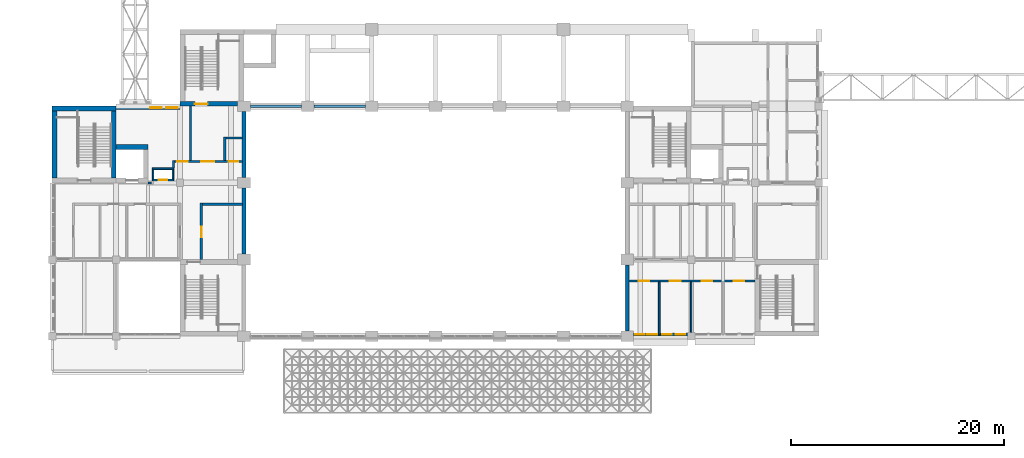
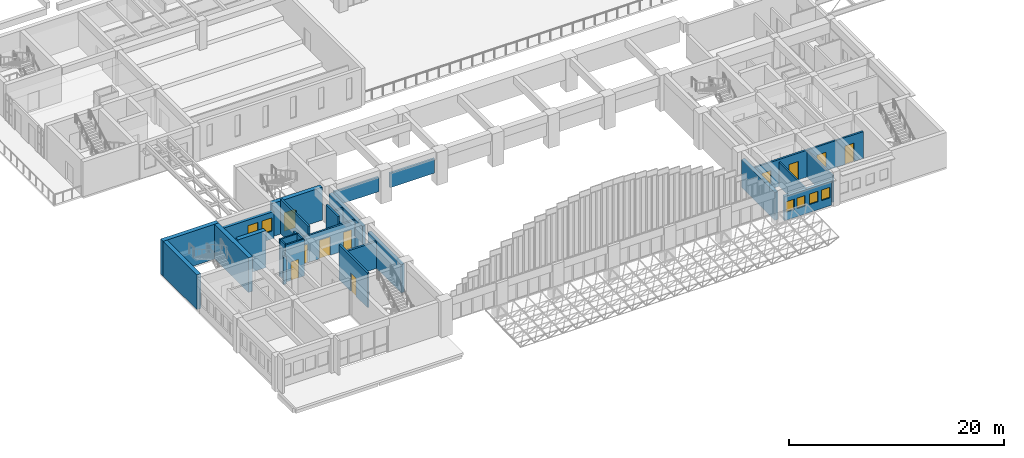
# One storey, part 63 of 103: 27 walls, 10 doors, 6 windows, 16 openings.
"""IFC4 building model written with IfcOpenShell, lengths in metres."""

from ifc_helpers import new_model, si_unit, direction, frame, frame_2d, origin, place, context, subcontext, project, spatial, rectangle, extrude, material, layer, layer_set, type_object, element, fill, save


model = new_model("IFC4")

# Units and contexts
model_context = context("Model", 3, precision=1e-05, world=origin(), true_north=direction((0.0, 1.0)))
body_context = subcontext(model_context, "Body", "Model", "MODEL_VIEW")
ifc_project = project(units=[si_unit("LENGTHUNIT", "METRE"), si_unit("AREAUNIT", "SQUARE_METRE"), si_unit("VOLUMEUNIT", "CUBIC_METRE"), si_unit("PLANEANGLEUNIT", "RADIAN"), si_unit("MASSUNIT", "GRAM", prefix="KILO")], contexts=[model_context])

# Site, building, storey
site_placement = place(None, origin())
site = spatial("IfcSite", under=ifc_project, at=site_placement, CompositionType="ELEMENT")
building_placement = place(site_placement, origin())
building = spatial("IfcBuilding", under=site, at=building_placement, Name="Laocheng Heights Fire and Rescue Headquarters", CompositionType="ELEMENT")
storey_placement = place(building_placement, frame((0.0, 0.0, 4.199951171875)))
storey = spatial("IfcBuildingStorey", under=building, at=storey_placement, Name="L01", CompositionType="ELEMENT", Elevation=4.199951171875)

# Walls
ifc_material_1 = material(Name="Gypsum plaster")
ifc_layer_1 = layer(ifc_material_1, 0.010009765625, Name="PLASTER", Category="plaster")
ifc_material_2 = material(Name="Concrete blockwork MU10", Category="masonry")
ifc_layer_2 = layer(ifc_material_2, 0.179931640625, Name="BLOCKWORK", Category="masonry")
ifc_layer_3 = layer(ifc_material_1, 0.010009765625, Name="PLASTER", Category="plaster")
ifc_layer_set_1 = layer_set([ifc_layer_1, ifc_layer_2, ifc_layer_3], Name="Concrete blockwork MU10")
wall_type_1 = type_object("IfcWallType", Name="BLOCKWORK FIRE PARTITION 200 EI 60 BAY", PredefinedType="PARTITIONING", material=ifc_layer_set_1)
wall_1_placement = place(storey_placement, frame((11.39990234375, 15.800048828125, 0.0), z_axis=(0.0, 0.0, 1.0), x_axis=(0.0, 1.0, 0.0)))
element("IfcWall", 1, at=wall_1_placement, inside=storey, type_object=wall_type_1, Name="Partition L01-007", PredefinedType="PARTITIONING", context=body_context, shape_type="SweptSolid", body=[
    extrude(rectangle(XDim=0.699951171875, YDim=0.199951171875, at=frame_2d((0.35009765625, 0.0))), origin(), (0.0, 0.0, 1.0), 3.949951171875),
])
wall_2_placement = place(storey_placement, frame((13.0, 16.5, 0.0), z_axis=(0.0, 0.0, 1.0), x_axis=(0.0, 1.0, 0.0)))
element("IfcWall", 2, at=wall_2_placement, inside=storey, type_object=wall_type_1, Name="Partition L01-009", PredefinedType="PARTITIONING", context=body_context, shape_type="SweptSolid", body=[
    extrude(rectangle(XDim=5.10009765625, YDim=0.199951171875, at=frame_2d((2.550048828125, 0.0))), origin(), (0.0, 0.0, 1.0), 3.949951171875),
])

# Wall, opening, door
wall_3_placement = place(storey_placement, frame((14.0, 7.199951171875, 0.0), z_axis=(0.0, 0.0, 1.0), x_axis=(0.0, 1.0, 0.0)))
wall_3 = element("IfcWall", 3, at=wall_3_placement, inside=storey, type_object=wall_type_1, Name="Partition L01-010", PredefinedType="PARTITIONING", context=body_context, shape_type="SweptSolid", body=[
    extrude(rectangle(XDim=5.300048828125, YDim=0.199951171875, at=frame_2d((2.64990234375, 0.0))), origin(), (0.0, 0.0, 1.0), 3.949951171875),
])
opening_1_placement = place(wall_3_placement, frame((2.10009765625, 0.0, 0.0)))
opening_1 = element("IfcOpeningElement", 4, at=opening_1_placement, cuts=wall_3, Name="Opening L01-I02", PredefinedType="OPENING", context=body_context, shape_type="SweptSolid", body=[
    extrude(rectangle(XDim=1.0, YDim=2.10009765625, at=frame_2d((0.5, 1.050048828125))), frame((0.0, 0.10986328125, 0.0), z_axis=(0.0, -1.0, 0.0), x_axis=(1.0, 0.0, 0.0)), (0.0, 0.0, 1.0), 0.219970703125),
])
ifc_material_3 = material(Name="Steel door leaf, painted", Category="steel")
door_type_1 = type_object("IfcDoorType", Name="STEEL FIRE DOOR 1000x2100 EI 60 BAY", OperationType="SINGLE_SWING_LEFT", PredefinedType="DOOR", material=ifc_material_3)
door_1_placement = place(opening_1_placement, frame((1.0, 0.0, 0.0), z_axis=(0.0, 0.0, 1.0), x_axis=(-1.0, 0.0, 0.0)))
door_1 = element("IfcDoor", 5, at=door_1_placement, inside=storey, type_object=door_type_1, Name="Door L01-I02", OperationType="SINGLE_SWING_LEFT", OverallHeight=2.10009765625, OverallWidth=1.0, PredefinedType="DOOR", context=body_context, shape_type="SweptSolid", body=[
    extrude(rectangle(XDim=1.0, YDim=2.10009765625, at=frame_2d((0.5, 1.050048828125))), frame((0.0, 0.02490234375, 0.0), z_axis=(0.0, -1.0, 0.0), x_axis=(1.0, 0.0, 0.0)), (0.0, 0.0, 1.0), 0.050048828125),
])
fill(opening_1, door_1)

# Wall
wall_4_placement = place(storey_placement, frame((16.199951171875, 16.5, 0.0), z_axis=(0.0, 0.0, 1.0), x_axis=(0.0, 1.0, 0.0)))
element("IfcWall", 6, at=wall_4_placement, inside=storey, type_object=wall_type_1, Name="Partition L01-011", PredefinedType="PARTITIONING", context=body_context, shape_type="SweptSolid", body=[
    extrude(rectangle(XDim=2.199951171875, YDim=0.199951171875, at=frame_2d((1.10009765625, 0.0))), origin(), (0.0, 0.0, 1.0), 3.949951171875),
])

# Wall, openings, doors
wall_5_placement = place(storey_placement, frame((54.14990234375, 5.199951171875, 0.0), z_axis=(0.0, 0.0, 1.0), x_axis=(1.0, 0.0, 0.0)))
wall_5 = element("IfcWall", 7, at=wall_5_placement, inside=storey, type_object=wall_type_1, Name="Partition L01-027", PredefinedType="PARTITIONING", context=body_context, shape_type="SweptSolid", body=[
    extrude(rectangle(XDim=11.85009765625, YDim=0.199951171875, at=frame_2d((5.925048828125, 0.0))), origin(), (0.0, 0.0, 1.0), 3.050048828125),
])
opening_2_placement = place(wall_5_placement, frame((0.925048828125, 0.0, 0.0)))
opening_2 = element("IfcOpeningElement", 8, at=opening_2_placement, cuts=wall_5, Name="Opening L01-I15", PredefinedType="OPENING", context=body_context, shape_type="SweptSolid", body=[
    extrude(rectangle(XDim=1.0, YDim=2.10009765625, at=frame_2d((0.5, 1.050048828125))), frame((0.0, 0.10986328125, 0.0), z_axis=(0.0, -1.0, 0.0), x_axis=(1.0, 0.0, 0.0)), (0.0, 0.0, 1.0), 0.219970703125),
])
opening_3_placement = place(wall_5_placement, frame((3.85009765625, 0.0, 0.0)))
opening_3 = element("IfcOpeningElement", 9, at=opening_3_placement, cuts=wall_5, Name="Opening L01-I18", PredefinedType="OPENING", context=body_context, shape_type="SweptSolid", body=[
    extrude(rectangle(XDim=1.0, YDim=2.10009765625, at=frame_2d((0.5, 1.050048828125))), frame((0.0, 0.10986328125, 0.0), z_axis=(0.0, -1.0, 0.0), x_axis=(1.0, 0.0, 0.0)), (0.0, 0.0, 1.0), 0.219970703125),
])
opening_4_placement = place(wall_5_placement, frame((6.85009765625, 0.0, 0.0)))
opening_4 = element("IfcOpeningElement", 10, at=opening_4_placement, cuts=wall_5, Name="Opening L01-I21", PredefinedType="OPENING", context=body_context, shape_type="SweptSolid", body=[
    extrude(rectangle(XDim=1.0, YDim=2.10009765625, at=frame_2d((0.5, 1.050048828125))), frame((0.0, 0.10986328125, 0.0), z_axis=(0.0, -1.0, 0.0), x_axis=(1.0, 0.0, 0.0)), (0.0, 0.0, 1.0), 0.219970703125),
])
opening_5_placement = place(wall_5_placement, frame((9.85009765625, 0.0, 0.0)))
opening_5 = element("IfcOpeningElement", 11, at=opening_5_placement, cuts=wall_5, Name="Opening L01-I24", PredefinedType="OPENING", context=body_context, shape_type="SweptSolid", body=[
    extrude(rectangle(XDim=1.0, YDim=2.10009765625, at=frame_2d((0.5, 1.050048828125))), frame((0.0, 0.10986328125, 0.0), z_axis=(0.0, -1.0, 0.0), x_axis=(1.0, 0.0, 0.0)), (0.0, 0.0, 1.0), 0.219970703125),
])
door_2_placement = place(opening_2_placement, frame((1.0, 0.0, 0.0), z_axis=(0.0, 0.0, 1.0), x_axis=(-1.0, 0.0, 0.0)))
door_2 = element("IfcDoor", 12, at=door_2_placement, inside=storey, type_object=door_type_1, Name="Door L01-I15", OperationType="SINGLE_SWING_LEFT", OverallHeight=2.10009765625, OverallWidth=1.0, PredefinedType="DOOR", context=body_context, shape_type="SweptSolid", body=[
    extrude(rectangle(XDim=1.0, YDim=2.10009765625, at=frame_2d((0.5, 1.050048828125))), frame((0.0, 0.02490234375, 0.0), z_axis=(0.0, -1.0, 0.0), x_axis=(1.0, 0.0, 0.0)), (0.0, 0.0, 1.0), 0.050048828125),
])
fill(opening_2, door_2)
door_3_placement = place(opening_3_placement, frame((1.0, 0.0, 0.0), z_axis=(0.0, 0.0, 1.0), x_axis=(-1.0, 0.0, 0.0)))
door_3 = element("IfcDoor", 13, at=door_3_placement, inside=storey, type_object=door_type_1, Name="Door L01-I18", OperationType="SINGLE_SWING_RIGHT", OverallHeight=2.10009765625, OverallWidth=1.0, PredefinedType="DOOR", context=body_context, shape_type="SweptSolid", body=[
    extrude(rectangle(XDim=1.0, YDim=2.10009765625, at=frame_2d((0.5, 1.050048828125))), frame((0.0, 0.02490234375, 0.0), z_axis=(0.0, -1.0, 0.0), x_axis=(1.0, 0.0, 0.0)), (0.0, 0.0, 1.0), 0.050048828125),
])
fill(opening_3, door_3)
door_4_placement = place(opening_4_placement, frame((1.0, 0.0, 0.0), z_axis=(0.0, 0.0, 1.0), x_axis=(-1.0, 0.0, 0.0)))
door_4 = element("IfcDoor", 14, at=door_4_placement, inside=storey, type_object=door_type_1, Name="Door L01-I21", OperationType="SINGLE_SWING_RIGHT", OverallHeight=2.10009765625, OverallWidth=1.0, PredefinedType="DOOR", context=body_context, shape_type="SweptSolid", body=[
    extrude(rectangle(XDim=1.0, YDim=2.10009765625, at=frame_2d((0.5, 1.050048828125))), frame((0.0, 0.02490234375, 0.0), z_axis=(0.0, -1.0, 0.0), x_axis=(1.0, 0.0, 0.0)), (0.0, 0.0, 1.0), 0.050048828125),
])
fill(opening_4, door_4)
door_5_placement = place(opening_5_placement, frame((1.0, 0.0, 0.0), z_axis=(0.0, 0.0, 1.0), x_axis=(-1.0, 0.0, 0.0)))
door_5 = element("IfcDoor", 15, at=door_5_placement, inside=storey, type_object=door_type_1, Name="Door L01-I24", OperationType="SINGLE_SWING_RIGHT", OverallHeight=2.10009765625, OverallWidth=1.0, PredefinedType="DOOR", context=body_context, shape_type="SweptSolid", body=[
    extrude(rectangle(XDim=1.0, YDim=2.10009765625, at=frame_2d((0.5, 1.050048828125))), frame((0.0, 0.02490234375, 0.0), z_axis=(0.0, -1.0, 0.0), x_axis=(1.0, 0.0, 0.0)), (0.0, 0.0, 1.0), 0.050048828125),
])
fill(opening_5, door_5)

# Walls
wall_6_placement = place(storey_placement, frame((14.10009765625, 12.39990234375, 0.0), z_axis=(0.0, 0.0, 1.0), x_axis=(1.0, 0.0, 0.0)))
element("IfcWall", 16, at=wall_6_placement, inside=storey, type_object=wall_type_1, Name="Partition L01-033", PredefinedType="PARTITIONING", context=body_context, shape_type="SweptSolid", body=[
    extrude(rectangle(XDim=3.75, YDim=0.199951171875, at=frame_2d((1.875, 0.0))), origin(), (0.0, 0.0, 1.0), 3.050048828125),
])
wall_7_placement = place(storey_placement, frame((9.0, 14.39990234375, 0.0), z_axis=(0.0, 0.0, 1.0), x_axis=(1.0, 0.0, 0.0)))
element("IfcWall", 17, at=wall_7_placement, inside=storey, type_object=wall_type_1, Name="Partition L01-036", PredefinedType="PARTITIONING", context=body_context, shape_type="SweptSolid", body=[
    extrude(rectangle(XDim=0.300048828125, YDim=0.199951171875, at=frame_2d((0.14990234375, 0.0))), origin(), (0.0, 0.0, 1.0), 3.150146484375),
])

# Wall, openings, doors
wall_8_placement = place(storey_placement, frame((11.5, 16.39990234375, 0.0), z_axis=(0.0, 0.0, 1.0), x_axis=(1.0, 0.0, 0.0)))
wall_8 = element("IfcWall", 18, at=wall_8_placement, inside=storey, type_object=wall_type_1, Name="Partition L01-039", PredefinedType="PARTITIONING", context=body_context, shape_type="SweptSolid", body=[
    extrude(rectangle(XDim=6.35009765625, YDim=0.199951171875, at=frame_2d((3.175048828125, 0.0))), origin(), (0.0, 0.0, 1.0), 3.050048828125),
])
opening_6_placement = place(wall_8_placement, frame((2.5, 0.0, 0.0)))
opening_6 = element("IfcOpeningElement", 19, at=opening_6_placement, cuts=wall_8, Name="Opening L01-I03", PredefinedType="OPENING", context=body_context, shape_type="SweptSolid", body=[
    extrude(rectangle(XDim=1.199951171875, YDim=2.10009765625, at=frame_2d((0.60009765625, 1.050048828125))), frame((0.0, 0.10986328125, 0.0), z_axis=(0.0, -1.0, 0.0), x_axis=(1.0, 0.0, 0.0)), (0.0, 0.0, 1.0), 0.219970703125),
])
opening_7_placement = place(wall_8_placement, frame((0.25, 0.0, 0.0)))
opening_7 = element("IfcOpeningElement", 20, at=opening_7_placement, cuts=wall_8, Name="Opening L01-I04", PredefinedType="OPENING", context=body_context, shape_type="SweptSolid", body=[
    extrude(rectangle(XDim=1.0, YDim=2.10009765625, at=frame_2d((0.5, 1.050048828125))), frame((0.0, 0.10986328125, 0.0), z_axis=(0.0, -1.0, 0.0), x_axis=(1.0, 0.0, 0.0)), (0.0, 0.0, 1.0), 0.219970703125),
])
opening_8_placement = place(wall_8_placement, frame((5.074951171875, 0.0, 0.0)))
opening_8 = element("IfcOpeningElement", 21, at=opening_8_placement, cuts=wall_8, Name="Opening L01-I05", PredefinedType="OPENING", context=body_context, shape_type="SweptSolid", body=[
    extrude(rectangle(XDim=0.89990234375, YDim=2.10009765625, at=frame_2d((0.449951171875, 1.050048828125))), frame((0.0, 0.10986328125, 0.0), z_axis=(0.0, -1.0, 0.0), x_axis=(1.0, 0.0, 0.0)), (0.0, 0.0, 1.0), 0.219970703125),
])
door_6_placement = place(opening_7_placement, origin())
door_6 = element("IfcDoor", 22, at=door_6_placement, inside=storey, type_object=door_type_1, Name="Door L01-I04", OperationType="SINGLE_SWING_RIGHT", OverallHeight=2.10009765625, OverallWidth=1.0, PredefinedType="DOOR", context=body_context, shape_type="SweptSolid", body=[
    extrude(rectangle(XDim=1.0, YDim=2.10009765625, at=frame_2d((0.5, 1.050048828125))), frame((0.0, 0.02490234375, 0.0), z_axis=(0.0, -1.0, 0.0), x_axis=(1.0, 0.0, 0.0)), (0.0, 0.0, 1.0), 0.050048828125),
])
fill(opening_7, door_6)
ifc_material_4 = material(Name="Steel door leaf, painted", Category="steel")
door_type_2 = type_object("IfcDoorType", Name="STEEL FIRE DOOR 1200x2100 EI 60 BAY", OperationType="SINGLE_SWING_LEFT", PredefinedType="DOOR", material=ifc_material_4)
door_7_placement = place(opening_6_placement, origin())
door_7 = element("IfcDoor", 23, at=door_7_placement, inside=storey, type_object=door_type_2, Name="Door L01-I03", OperationType="SINGLE_SWING_RIGHT", OverallHeight=2.10009765625, OverallWidth=1.199951171875, PredefinedType="DOOR", context=body_context, shape_type="SweptSolid", body=[
    extrude(rectangle(XDim=1.199951171875, YDim=2.10009765625, at=frame_2d((0.60009765625, 1.050048828125))), frame((0.0, 0.02490234375, 0.0), z_axis=(0.0, -1.0, 0.0), x_axis=(1.0, 0.0, 0.0)), (0.0, 0.0, 1.0), 0.050048828125),
])
fill(opening_6, door_7)
ifc_material_5 = material(Name="Steel door leaf, painted", Category="steel")
door_type_3 = type_object("IfcDoorType", Name="STEEL FIRE DOOR 900x2100 EI 60 BAY", OperationType="SINGLE_SWING_LEFT", PredefinedType="DOOR", material=ifc_material_5)
door_8_placement = place(opening_8_placement, origin())
door_8 = element("IfcDoor", 24, at=door_8_placement, inside=storey, type_object=door_type_3, Name="Door L01-I05", OperationType="SINGLE_SWING_LEFT", OverallHeight=2.10009765625, OverallWidth=0.89990234375, PredefinedType="DOOR", context=body_context, shape_type="SweptSolid", body=[
    extrude(rectangle(XDim=0.89990234375, YDim=2.10009765625, at=frame_2d((0.449951171875, 1.050048828125))), frame((0.0, 0.02490234375, 0.0), z_axis=(0.0, -1.0, 0.0), x_axis=(1.0, 0.0, 0.0)), (0.0, 0.0, 1.0), 0.050048828125),
])
fill(opening_8, door_8)

# Walls
wall_9_placement = place(storey_placement, frame((16.300048828125, 18.60009765625, 0.0), z_axis=(0.0, 0.0, 1.0), x_axis=(1.0, 0.0, 0.0)))
element("IfcWall", 25, at=wall_9_placement, inside=storey, type_object=wall_type_1, Name="Partition L01-041", PredefinedType="PARTITIONING", context=body_context, shape_type="SweptSolid", body=[
    extrude(rectangle(XDim=1.550048828125, YDim=0.199951171875, at=frame_2d((0.77490234375, 0.0))), origin(), (0.0, 0.0, 1.0), 3.050048828125),
])
ifc_material_6 = material(Name="Gypsum plaster")
ifc_layer_4 = layer(ifc_material_6, 0.010009765625, Name="PLASTER", Category="plaster")
ifc_material_7 = material(Name="Concrete blockwork MU10", Category="masonry")
ifc_layer_5 = layer(ifc_material_7, 0.1298828125, Name="BLOCKWORK", Category="masonry")
ifc_layer_6 = layer(ifc_material_6, 0.010009765625, Name="PLASTER", Category="plaster")
ifc_layer_set_2 = layer_set([ifc_layer_4, ifc_layer_5, ifc_layer_6], Name="Concrete blockwork MU10")
wall_type_2 = type_object("IfcWallType", Name="BLOCKWORK PARTITION 150 EI 45 BAY", PredefinedType="PARTITIONING", material=ifc_layer_set_2)
wall_10_placement = place(storey_placement, frame((57.0, 0.14990234375, 0.0), z_axis=(0.0, 0.0, 1.0), x_axis=(0.0, 1.0, 0.0)))
element("IfcWall", 26, at=wall_10_placement, inside=storey, type_object=wall_type_2, Name="Partition L01-013", PredefinedType="PARTITIONING", context=body_context, shape_type="SweptSolid", body=[
    extrude(rectangle(XDim=4.9501953125, YDim=0.14990234375, at=frame_2d((2.47509765625, 0.0))), origin(), (0.0, 0.0, 1.0), 2.75),
])
wall_11_placement = place(storey_placement, frame((60.0, 0.35009765625, 0.0), z_axis=(0.0, 0.0, 1.0), x_axis=(0.0, 1.0, 0.0)))
element("IfcWall", 27, at=wall_11_placement, inside=storey, type_object=wall_type_2, Name="Partition L01-015", PredefinedType="PARTITIONING", context=body_context, shape_type="SweptSolid", body=[
    extrude(rectangle(XDim=4.75, YDim=0.14990234375, at=frame_2d((2.375, 0.0))), origin(), (0.0, 0.0, 1.0), 3.050048828125),
])
ifc_material_8 = material(Name="Precast concrete C40/50", Category="concrete")
ifc_layer_7 = layer(ifc_material_8, 0.199951171875)
ifc_layer_set_3 = layer_set([ifc_layer_7], Name="Precast concrete C40/50")
wall_type_3 = type_object("IfcWallType", Name="PRECAST GABLE PANEL 200", PredefinedType="SOLIDWALL", material=ifc_layer_set_3)
for number, where, z_axis, x_axis, name in (
    (28, (18.60009765625, 21.60009765625, 1.199951171875), (0.0, 0.0, 1.0), (1.0, 0.0, 0.0), "Gable precast panel N1"),
    (29, (24.60009765625, 21.60009765625, 1.199951171875), (0.0, 0.0, 1.0), (1.0, 0.0, 0.0), "Gable precast panel N2"),
):
    element("IfcWall", number, at=place(storey_placement, frame(where, z_axis=z_axis, x_axis=x_axis)), inside=storey, type_object=wall_type_3, Name=name, PredefinedType="SOLIDWALL", context=body_context, shape_type="SweptSolid", body=[
        extrude(rectangle(XDim=4.7998046875, YDim=0.199951171875, at=frame_2d((2.39990234375, 0.0))), origin(), (0.0, 0.0, 1.0), 1.650146484375),
    ])

# Wall, openings, windows
ifc_material_9 = material(Name="Precast concrete C40/50", Category="concrete")
ifc_layer_8 = layer(ifc_material_9, 0.300048828125)
ifc_layer_set_4 = layer_set([ifc_layer_8], Name="Precast concrete C40/50")
wall_type_4 = type_object("IfcWallType", Name="PRECAST PANEL WALL 300 EAST FLANK", PredefinedType="SOLIDWALL", material=ifc_layer_set_4)
wall_12_placement = place(storey_placement, frame((54.60009765625, 0.14990234375, 0.0), z_axis=(0.0, 0.0, 1.0), x_axis=(1.0, 0.0, 0.0)))
wall_12 = element("IfcWall", 30, at=wall_12_placement, inside=storey, type_object=wall_type_4, Name="Flank E wall L01", PredefinedType="SOLIDWALL", context=body_context, shape_type="SweptSolid", body=[
    extrude(rectangle(XDim=5.0498046875, YDim=0.300048828125, at=frame_2d((2.52490234375, 0.0))), origin(), (0.0, 0.0, 1.0), 2.75),
])
opening_9_placement = place(wall_12_placement, frame((0.131103515625, 0.0, 0.89990234375)))
opening_9 = element("IfcOpeningElement", 31, at=opening_9_placement, cuts=wall_12, Name="Opening N2-E", PredefinedType="OPENING", context=body_context, shape_type="SweptSolid", body=[
    extrude(rectangle(XDim=0.89990234375, YDim=1.199951171875, at=frame_2d((0.449951171875, 0.60009765625))), frame((0.0, 0.159912109375, 0.0), z_axis=(0.0, -1.0, 0.0), x_axis=(1.0, 0.0, 0.0)), (0.0, 0.0, 1.0), 0.320068359375),
])
opening_10_placement = place(wall_12_placement, frame((1.293701171875, 0.0, 0.89990234375)))
opening_10 = element("IfcOpeningElement", 32, at=opening_10_placement, cuts=wall_12, Name="Opening N2-E", PredefinedType="OPENING", context=body_context, shape_type="SweptSolid", body=[
    extrude(rectangle(XDim=0.89990234375, YDim=1.199951171875, at=frame_2d((0.449951171875, 0.60009765625))), frame((0.0, 0.159912109375, 0.0), z_axis=(0.0, -1.0, 0.0), x_axis=(1.0, 0.0, 0.0)), (0.0, 0.0, 1.0), 0.320068359375),
])
opening_11_placement = place(wall_12_placement, frame((2.668701171875, 0.0, 0.89990234375)))
opening_11 = element("IfcOpeningElement", 33, at=opening_11_placement, cuts=wall_12, Name="Opening N2-E", PredefinedType="OPENING", context=body_context, shape_type="SweptSolid", body=[
    extrude(rectangle(XDim=0.89990234375, YDim=1.199951171875, at=frame_2d((0.449951171875, 0.60009765625))), frame((0.0, 0.159912109375, 0.0), z_axis=(0.0, -1.0, 0.0), x_axis=(1.0, 0.0, 0.0)), (0.0, 0.0, 1.0), 0.320068359375),
])
opening_12_placement = place(wall_12_placement, frame((3.956298828125, 0.0, 0.89990234375)))
opening_12 = element("IfcOpeningElement", 34, at=opening_12_placement, cuts=wall_12, Name="Opening N2-E", PredefinedType="OPENING", context=body_context, shape_type="SweptSolid", body=[
    extrude(rectangle(XDim=0.89990234375, YDim=1.199951171875, at=frame_2d((0.449951171875, 0.60009765625))), frame((0.0, 0.159912109375, 0.0), z_axis=(0.0, -1.0, 0.0), x_axis=(1.0, 0.0, 0.0)), (0.0, 0.0, 1.0), 0.320068359375),
])
ifc_material_10 = material(Name="Low-e double glazing in thermally broken aluminium frame", Category="aluminium")
window_type_1 = type_object("IfcWindowType", Name="PUNCHED WINDOW STEEL FRAME 900 x 1200 SILL 900", PartitioningType="SINGLE_PANEL", PredefinedType="WINDOW", material=ifc_material_10)
window_1_placement = place(opening_9_placement, origin())
window_1 = element("IfcWindow", 35, at=window_1_placement, inside=storey, type_object=window_type_1, Name="Flank_E window L01", OverallHeight=1.199951171875, OverallWidth=0.89990234375, PartitioningType="SINGLE_PANEL", PredefinedType="WINDOW", context=body_context, shape_type="SweptSolid", body=[
    extrude(rectangle(XDim=0.89990234375, YDim=1.199951171875, at=frame_2d((0.449951171875, 0.60009765625))), frame((0.0, 0.030029296875, 0.0), z_axis=(0.0, -1.0, 0.0), x_axis=(1.0, 0.0, 0.0)), (0.0, 0.0, 1.0), 0.06005859375),
])
fill(opening_9, window_1)
window_2_placement = place(opening_10_placement, origin())
window_2 = element("IfcWindow", 36, at=window_2_placement, inside=storey, type_object=window_type_1, Name="Flank_E window L01", OverallHeight=1.199951171875, OverallWidth=0.89990234375, PartitioningType="SINGLE_PANEL", PredefinedType="WINDOW", context=body_context, shape_type="SweptSolid", body=[
    extrude(rectangle(XDim=0.89990234375, YDim=1.199951171875, at=frame_2d((0.449951171875, 0.60009765625))), frame((0.0, 0.030029296875, 0.0), z_axis=(0.0, -1.0, 0.0), x_axis=(1.0, 0.0, 0.0)), (0.0, 0.0, 1.0), 0.06005859375),
])
fill(opening_10, window_2)
window_3_placement = place(opening_11_placement, origin())
window_3 = element("IfcWindow", 37, at=window_3_placement, inside=storey, type_object=window_type_1, Name="Flank_E window L01", OverallHeight=1.199951171875, OverallWidth=0.89990234375, PartitioningType="SINGLE_PANEL", PredefinedType="WINDOW", context=body_context, shape_type="SweptSolid", body=[
    extrude(rectangle(XDim=0.89990234375, YDim=1.199951171875, at=frame_2d((0.449951171875, 0.60009765625))), frame((0.0, 0.030029296875, 0.0), z_axis=(0.0, -1.0, 0.0), x_axis=(1.0, 0.0, 0.0)), (0.0, 0.0, 1.0), 0.06005859375),
])
fill(opening_11, window_3)
window_4_placement = place(opening_12_placement, origin())
window_4 = element("IfcWindow", 38, at=window_4_placement, inside=storey, type_object=window_type_1, Name="Flank_E window L01", OverallHeight=1.199951171875, OverallWidth=0.89990234375, PartitioningType="SINGLE_PANEL", PredefinedType="WINDOW", context=body_context, shape_type="SweptSolid", body=[
    extrude(rectangle(XDim=0.89990234375, YDim=1.199951171875, at=frame_2d((0.449951171875, 0.60009765625))), frame((0.0, 0.030029296875, 0.0), z_axis=(0.0, -1.0, 0.0), x_axis=(1.0, 0.0, 0.0)), (0.0, 0.0, 1.0), 0.06005859375),
])
fill(opening_12, window_4)

ifc_material_11 = material(Name="Precast concrete C40/50", Category="concrete")
ifc_layer_9 = layer(ifc_material_11, 0.300048828125)
ifc_layer_set_5 = layer_set([ifc_layer_9], Name="Precast concrete C40/50")
wall_type_5 = type_object("IfcWallType", Name="PRECAST SANDWICH WALL 300 WEST FLANK", PredefinedType="SOLIDWALL", material=ifc_layer_set_5)
wall_13_placement = place(storey_placement, frame((6.0, 21.449951171875, 0.0), z_axis=(0.0, 0.0, 1.0), x_axis=(1.0, 0.0, 0.0)))
wall_13 = element("IfcWall", 39, at=wall_13_placement, inside=storey, type_object=wall_type_5, Name="Flank W wall L01", PredefinedType="SOLIDWALL", context=body_context, shape_type="SweptSolid", body=[
    extrude(rectangle(XDim=6.0, YDim=0.300048828125, at=frame_2d((3.0, 0.0))), origin(), (0.0, 0.0, 1.0), 3.050048828125),
])
opening_13_placement = place(wall_13_placement, frame((3.199951171875, 0.0, 0.89990234375)))
opening_13 = element("IfcOpeningElement", 40, at=opening_13_placement, cuts=wall_13, Name="Opening N1-E", PredefinedType="OPENING", context=body_context, shape_type="SweptSolid", body=[
    extrude(rectangle(XDim=1.10009765625, YDim=1.5, at=frame_2d((0.550048828125, 0.75))), frame((0.0, 0.159912109375, 0.0), z_axis=(0.0, -1.0, 0.0), x_axis=(1.0, 0.0, 0.0)), (0.0, 0.0, 1.0), 0.320068359375),
])
opening_14_placement = place(wall_13_placement, frame((4.699951171875, 0.0, 0.89990234375)))
opening_14 = element("IfcOpeningElement", 41, at=opening_14_placement, cuts=wall_13, Name="Opening N1-E", PredefinedType="OPENING", context=body_context, shape_type="SweptSolid", body=[
    extrude(rectangle(XDim=1.10009765625, YDim=1.5, at=frame_2d((0.550048828125, 0.75))), frame((0.0, 0.159912109375, 0.0), z_axis=(0.0, -1.0, 0.0), x_axis=(1.0, 0.0, 0.0)), (0.0, 0.0, 1.0), 0.320068359375),
])
ifc_material_12 = material(Name="Low-e double glazing in thermally broken aluminium frame", Category="aluminium")
window_type_2 = type_object("IfcWindowType", Name="CASEMENT WINDOW 1100 x 1500 SILL 900", PartitioningType="SINGLE_PANEL", PredefinedType="WINDOW", material=ifc_material_12)
window_5_placement = place(opening_13_placement, origin())
window_5 = element("IfcWindow", 42, at=window_5_placement, inside=storey, type_object=window_type_2, Name="Flank_W window L01", OverallHeight=1.5, OverallWidth=1.10009765625, PartitioningType="SINGLE_PANEL", PredefinedType="WINDOW", context=body_context, shape_type="SweptSolid", body=[
    extrude(rectangle(XDim=1.10009765625, YDim=1.5, at=frame_2d((0.550048828125, 0.75))), frame((0.0, 0.030029296875, 0.0), z_axis=(0.0, -1.0, 0.0), x_axis=(1.0, 0.0, 0.0)), (0.0, 0.0, 1.0), 0.06005859375),
])
fill(opening_13, window_5)
window_6_placement = place(opening_14_placement, origin())
window_6 = element("IfcWindow", 43, at=window_6_placement, inside=storey, type_object=window_type_2, Name="Flank_W window L01", OverallHeight=1.5, OverallWidth=1.10009765625, PartitioningType="SINGLE_PANEL", PredefinedType="WINDOW", context=body_context, shape_type="SweptSolid", body=[
    extrude(rectangle(XDim=1.10009765625, YDim=1.5, at=frame_2d((0.550048828125, 0.75))), frame((0.0, 0.030029296875, 0.0), z_axis=(0.0, -1.0, 0.0), x_axis=(1.0, 0.0, 0.0)), (0.0, 0.0, 1.0), 0.06005859375),
])
fill(opening_14, window_6)

# Walls
ifc_material_13 = material(Name="Concrete C50", Category="concrete")
ifc_layer_10 = layer(ifc_material_13, 0.35009765625)
ifc_layer_set_6 = layer_set([ifc_layer_10], Name="Concrete C50")
wall_type_6 = type_object("IfcWallType", Name="RC COMPARTMENT WALL 350 HALL REI 180", PredefinedType="SOLIDWALL", material=ifc_layer_set_6)
wall_14_placement = place(storey_placement, frame((18.0, 7.699951171875, 0.0), z_axis=(0.0, 0.0, 1.0), x_axis=(0.0, 1.0, 0.0)))
element("IfcWall", 44, at=wall_14_placement, inside=storey, type_object=wall_type_6, Name="Hall compartment wall W2", PredefinedType="SOLIDWALL", context=body_context, shape_type="SweptSolid", body=[
    extrude(rectangle(XDim=6.199951171875, YDim=0.35009765625, at=frame_2d((3.10009765625, 0.0))), origin(), (0.0, 0.0, 1.0), 3.1904296875),
])
wall_15_placement = place(storey_placement, frame((18.0, 14.89990234375, 0.0), z_axis=(0.0, 0.0, 1.0), x_axis=(0.0, 1.0, 0.0)))
element("IfcWall", 45, at=wall_15_placement, inside=storey, type_object=wall_type_6, Name="Hall compartment wall W3", PredefinedType="SOLIDWALL", context=body_context, shape_type="SweptSolid", body=[
    extrude(rectangle(XDim=6.2001953125, YDim=0.35009765625, at=frame_2d((3.10009765625, 0.0))), origin(), (0.0, 0.0, 1.0), 3.1904296875),
])
wall_16_placement = place(storey_placement, frame((54.0, 0.5, 0.0), z_axis=(0.0, 0.0, 1.0), x_axis=(0.0, 1.0, 0.0)))
element("IfcWall", 46, at=wall_16_placement, inside=storey, type_object=wall_type_6, Name="Hall compartment wall E1", PredefinedType="SOLIDWALL", context=body_context, shape_type="SweptSolid", body=[
    extrude(rectangle(XDim=6.199951171875, YDim=0.35009765625, at=frame_2d((3.10009765625, 0.0))), origin(), (0.0, 0.0, 1.0), 3.1904296875),
])
ifc_material_14 = material(Name="Concrete C50", Category="concrete")
ifc_layer_11 = layer(ifc_material_14, 0.449951171875)
ifc_layer_set_7 = layer_set([ifc_layer_11], Name="Concrete C50")
wall_type_7 = type_object("IfcWallType", Name="RC LIFT SHAFT WALL 450", PredefinedType="SHEAR", material=ifc_layer_set_7)
wall_17_placement = place(storey_placement, frame((6.0, 17.77490234375, 0.0), z_axis=(0.0, 0.0, 1.0), x_axis=(1.0, 0.0, 0.0)))
element("IfcWall", 47, at=wall_17_placement, inside=storey, type_object=wall_type_7, Name="Lift shaft wall", PredefinedType="SHEAR", context=body_context, shape_type="SweptSolid", body=[
    extrude(rectangle(XDim=3.0, YDim=0.449951171875, at=frame_2d((1.5, 0.0))), origin(), (0.0, 0.0, 1.0), 4.199951171875),
])
ifc_material_15 = material(Name="Concrete C50", Category="concrete")
ifc_layer_12 = layer(ifc_material_15, 0.449951171875)
ifc_layer_set_8 = layer_set([ifc_layer_12], Name="Concrete C50")
wall_type_8 = type_object("IfcWallType", Name="RC STAIR ENCLOSURE WALL 450", PredefinedType="SHEAR", material=ifc_layer_set_8)
wall_18_placement = place(storey_placement, frame((0.0, 21.375, 0.0), z_axis=(0.0, 0.0, 1.0), x_axis=(1.0, 0.0, 0.0)))
element("IfcWall", 48, at=wall_18_placement, inside=storey, type_object=wall_type_8, Name="Stair enclosure wall", PredefinedType="SHEAR", context=body_context, shape_type="SweptSolid", body=[
    extrude(rectangle(XDim=6.0, YDim=0.449951171875, at=frame_2d((3.0, 0.0))), origin(), (0.0, 0.0, 1.0), 3.949951171875),
])
for number, where, z_axis, x_axis, name in (
    (49, (0.22509765625, 14.85009765625, 0.0), (0.0, 0.0, 1.0), (0.0, 1.0, 0.0), "Stair enclosure wall"),
    (50, (5.77490234375, 14.85009765625, 0.0), (0.0, 0.0, 1.0), (0.0, 1.0, 0.0), "Stair enclosure wall"),
):
    element("IfcWall", number, at=place(storey_placement, frame(where, z_axis=z_axis, x_axis=x_axis)), inside=storey, type_object=wall_type_8, Name=name, PredefinedType="SHEAR", context=body_context, shape_type="SweptSolid", body=[
        extrude(rectangle(XDim=6.2998046875, YDim=0.449951171875, at=frame_2d((3.14990234375, 0.0))), origin(), (0.0, 0.0, 1.0), 3.949951171875),
    ])

# Wall, opening, door
wall_19_placement = place(storey_placement, frame((12.0, 21.824951171875, 0.0), z_axis=(0.0, 0.0, 1.0), x_axis=(1.0, 0.0, 0.0)))
wall_19 = element("IfcWall", 51, at=wall_19_placement, inside=storey, type_object=wall_type_8, Name="Stair enclosure wall", PredefinedType="SHEAR", context=body_context, shape_type="SweptSolid", body=[
    extrude(rectangle(XDim=5.39990234375, YDim=0.449951171875, at=frame_2d((2.699951171875, 0.0))), origin(), (0.0, 0.0, 1.0), 3.75),
])
opening_15_placement = place(wall_19_placement, frame((1.39990234375, 0.0, 0.0)))
opening_15 = element("IfcOpeningElement", 52, at=opening_15_placement, cuts=wall_19, Name="Opening L01-K09", PredefinedType="OPENING", context=body_context, shape_type="SweptSolid", body=[
    extrude(rectangle(XDim=1.199951171875, YDim=2.10009765625, at=frame_2d((0.60009765625, 1.050048828125))), frame((0.0, 0.23486328125, 0.0), z_axis=(0.0, -1.0, 0.0), x_axis=(1.0, 0.0, 0.0)), (0.0, 0.0, 1.0), 0.469970703125),
])
ifc_material_16 = material(Name="Painted steel", Category="steel")
door_type_4 = type_object("IfcDoorType", Name="FIRE DOOR 1200x2100 EI 60", OperationType="SINGLE_SWING_LEFT", PredefinedType="DOOR", material=ifc_material_16)
door_9_placement = place(opening_15_placement, frame((1.199951171875, 0.0, 0.0), z_axis=(0.0, 0.0, 1.0), x_axis=(-1.0, 0.0, 0.0)))
door_9 = element("IfcDoor", 53, at=door_9_placement, inside=storey, type_object=door_type_4, Name="Stair G1 door", OperationType="SINGLE_SWING_RIGHT", OverallHeight=2.10009765625, OverallWidth=1.199951171875, PredefinedType="DOOR", context=body_context, shape_type="SweptSolid", body=[
    extrude(rectangle(XDim=1.199951171875, YDim=2.10009765625, at=frame_2d((0.60009765625, 1.050048828125))), frame((0.0, 0.02490234375, 0.0), z_axis=(0.0, -1.0, 0.0), x_axis=(1.0, 0.0, 0.0)), (0.0, 0.0, 1.0), 0.050048828125),
])
fill(opening_15, door_9)

ifc_material_17 = material(Name="Concrete C30", Category="concrete")
ifc_layer_13 = layer(ifc_material_17, 0.14990234375)
ifc_layer_set_9 = layer_set([ifc_layer_13], Name="Concrete C30")
wall_type_9 = type_object("IfcWallType", Name="RISER SHAFT WALL 150", PredefinedType="SOLIDWALL", material=ifc_layer_set_9)
wall_20_placement = place(storey_placement, frame((9.39990234375, 14.675048828125, 0.0), z_axis=(0.0, 0.0, 1.0), x_axis=(1.0, 0.0, 0.0)))
wall_20 = element("IfcWall", 54, at=wall_20_placement, inside=storey, type_object=wall_type_9, Name="Riser shaft wall", PredefinedType="SOLIDWALL", context=body_context, shape_type="SweptSolid", body=[
    extrude(rectangle(XDim=2.0, YDim=0.14990234375, at=frame_2d((1.0, 0.0))), origin(), (0.0, 0.0, 1.0), 4.199951171875),
])
opening_16_placement = place(wall_20_placement, frame((0.60009765625, 0.0, 0.0)))
opening_16 = element("IfcOpeningElement", 55, at=opening_16_placement, cuts=wall_20, Name="Opening L01-K03", PredefinedType="OPENING", context=body_context, shape_type="SweptSolid", body=[
    extrude(rectangle(XDim=0.800048828125, YDim=2.10009765625, at=frame_2d((0.39990234375, 1.050048828125))), frame((0.0, 0.0849609375, 0.0), z_axis=(0.0, -1.0, 0.0), x_axis=(1.0, 0.0, 0.0)), (0.0, 0.0, 1.0), 0.169921875),
])
ifc_material_18 = material(Name="Painted steel", Category="steel")
door_type_5 = type_object("IfcDoorType", Name="RISER ACCESS DOOR 800x2100 EI 30", OperationType="SINGLE_SWING_LEFT", PredefinedType="DOOR", material=ifc_material_18)
door_10_placement = place(opening_16_placement, frame((0.800048828125, 0.0, 0.0), z_axis=(0.0, 0.0, 1.0), x_axis=(-1.0, 0.0, 0.0)))
door_10 = element("IfcDoor", 56, at=door_10_placement, inside=storey, type_object=door_type_5, Name="Riser RW1 access door", OperationType="SINGLE_SWING_RIGHT", OverallHeight=2.10009765625, OverallWidth=0.800048828125, PredefinedType="DOOR", context=body_context, shape_type="SweptSolid", body=[
    extrude(rectangle(XDim=0.800048828125, YDim=2.10009765625, at=frame_2d((0.39990234375, 1.050048828125))), frame((0.0, 0.02490234375, 0.0), z_axis=(0.0, -1.0, 0.0), x_axis=(1.0, 0.0, 0.0)), (0.0, 0.0, 1.0), 0.050048828125),
])
fill(opening_16, door_10)

# Walls
wall_21_placement = place(storey_placement, frame((9.39990234375, 15.72509765625, 0.0), z_axis=(0.0, 0.0, 1.0), x_axis=(1.0, 0.0, 0.0)))
element("IfcWall", 57, at=wall_21_placement, inside=storey, type_object=wall_type_9, Name="Riser shaft wall", PredefinedType="SOLIDWALL", context=body_context, shape_type="SweptSolid", body=[
    extrude(rectangle(XDim=2.0, YDim=0.14990234375, at=frame_2d((1.0, 0.0))), origin(), (0.0, 0.0, 1.0), 4.199951171875),
])
for number, where, z_axis, x_axis, name in (
    (58, (9.47509765625, 14.75, 0.0), (0.0, 0.0, 1.0), (0.0, 1.0, 0.0), "Riser shaft wall"),
    (59, (11.324951171875, 14.75, 0.0), (0.0, 0.0, 1.0), (0.0, 1.0, 0.0), "Riser shaft wall"),
):
    element("IfcWall", number, at=place(storey_placement, frame(where, z_axis=z_axis, x_axis=x_axis)), inside=storey, type_object=wall_type_9, Name=name, PredefinedType="SOLIDWALL", context=body_context, shape_type="SweptSolid", body=[
        extrude(rectangle(XDim=0.89990234375, YDim=0.14990234375, at=frame_2d((0.449951171875, 0.0))), origin(), (0.0, 0.0, 1.0), 4.199951171875),
    ])

save(model, "model.ifc")
